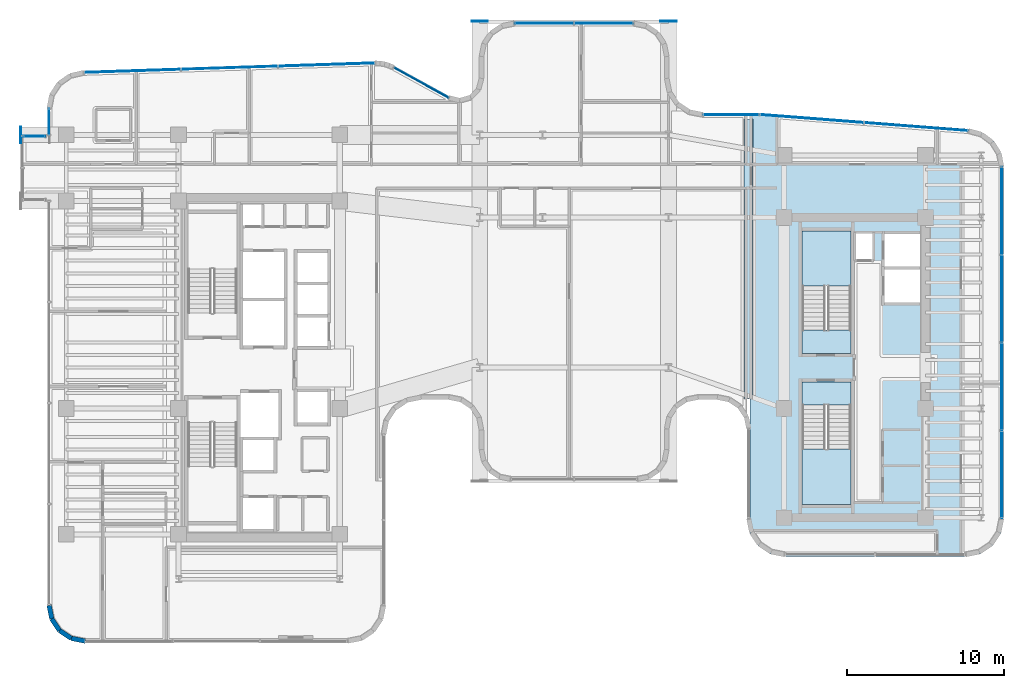
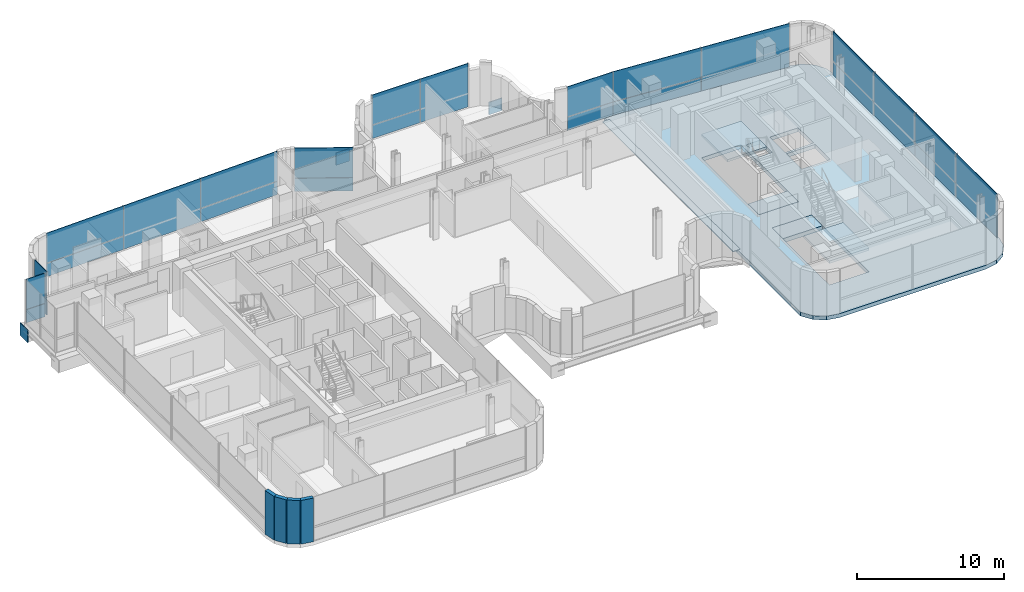
# One storey, part 26 of 39: 29 plates, 5 slabs, 4 walls, 10 elements without a shape of their own.
"""IFC4 building model written with IfcOpenShell, lengths in metres."""

from ifc_helpers import new_model, si_unit, direction, frame, frame_2d, origin, origin_2d, place, context, subcontext, project, spatial, polyline, rectangle, outline, extrude, source, transform, mapped, material, layer, layer_set, type_object, element, aggregate, save


model = new_model("IFC4")

# Units and contexts
model_context = context("Model", 3, precision=1e-05, world=origin(), true_north=direction((0.0, 1.0)))
body_context = subcontext(model_context, "Body", "Model", "MODEL_VIEW")
ifc_project = project(units=[si_unit("LENGTHUNIT", "METRE"), si_unit("AREAUNIT", "SQUARE_METRE"), si_unit("VOLUMEUNIT", "CUBIC_METRE"), si_unit("PLANEANGLEUNIT", "RADIAN"), si_unit("MASSUNIT", "GRAM", prefix="KILO")], contexts=[model_context])

# Site, building, storey
site_placement = place(None, origin())
site = spatial("IfcSite", under=ifc_project, at=site_placement, CompositionType="ELEMENT")
building_placement = place(site_placement, origin())
building = spatial("IfcBuilding", under=site, at=building_placement, Name="Valdorenza Pilgrim Sanctuary Tower", CompositionType="ELEMENT")
storey_placement = place(building_placement, frame((0.0, 0.0, 184.449951171875)))
storey = spatial("IfcBuildingStorey", under=building, at=storey_placement, Name="L47", CompositionType="ELEMENT", Elevation=184.449951171875)

# Slab
ifc_material_1 = material(Name="Concrete C40/50", Category="concrete")
ifc_layer_1 = layer(ifc_material_1, 0.320068359375, Name="Concrete C40/50")
ifc_layer_set_1 = layer_set([ifc_layer_1], Name="Concrete C40/50")
slab_type_1 = type_object("IfcSlabType", Name="SLAB-PRY-320", PredefinedType="FLOOR", material=ifc_layer_set_1)
slab_1_placement = place(storey_placement, frame((0.0, 0.0, -0.320068359375)))
element("IfcSlab", 1, at=slab_1_placement, inside=storey, type_object=slab_type_1, Name="L47 Structural Floor Slab 2", PredefinedType="FLOOR", context=body_context, shape_type="SweptSolid", body=[
    extrude(outline(polyline([(27.585205078125, 15.17138671875), (28.4453125, 14.93896484375), (29.161376953125, 14.408935546875), (29.634521484375, 13.654052734375), (29.800048828125, 12.778564453125), (29.800048828125, -9.60009765625), (29.6171875, -10.518310546875), (29.09716796875, -11.297119140625), (28.318359375, -11.8173828125), (27.39990234375, -12.0), (15.89990234375, -12.0), (14.981689453125, -11.8173828125), (14.202880859375, -11.297119140625), (13.6826171875, -10.518310546875), (13.679931640625, -10.5048828125), (13.679931640625, 16.199951171875), (14.300048828125, 16.199951171875), (27.585205078125, 15.17138671875)]), holes=[polyline([(17.0, -8.699951171875), (20.110107421875, -8.699951171875), (20.110107421875, -2.385009765625), (20.110107421875, -0.89990234375), (17.0, -0.89990234375), (17.0, -2.385009765625), (17.0, -8.699951171875)]), polyline([(17.0, 0.89990234375), (20.110107421875, 0.89990234375), (20.110107421875, 2.385009765625), (20.110107421875, 8.699951171875), (17.0, 8.699951171875), (17.0, 2.385009765625), (17.0, 0.89990234375)]), polyline([(22.25, 4.14990234375), (24.47998046875, 4.14990234375), (24.47998046875, 6.22509765625), (22.25, 6.22509765625), (22.25, 4.14990234375)]), polyline([(22.25, 6.425048828125), (24.47998046875, 6.425048828125), (24.47998046875, 8.5), (22.25, 8.5), (22.25, 6.425048828125)]), polyline([(20.409912109375, 6.860107421875), (21.489990234375, 6.860107421875), (21.489990234375, 8.52001953125), (20.409912109375, 8.52001953125), (20.409912109375, 6.860107421875)])]), origin(), (0.0, 0.0, 1.0), 0.320068359375),
])

# Stair, slab
stair_type = type_object("IfcStairType", Name="STR-DOG-CORE", PredefinedType="HALF_TURN_STAIR", material=ifc_material_1)
stair_1_placement = place(storey_placement, origin())
stair_1 = element("IfcStair", 2, at=stair_1_placement, inside=storey, type_object=stair_type, Name="L47 ST-B1", PredefinedType="HALF_TURN_STAIR")
ifc_layer_2 = layer(ifc_material_1, 0.199951171875, Name="Concrete C40/50")
ifc_layer_set_2 = layer_set([ifc_layer_2], Name="Concrete C40/50")
slab_type_2 = type_object("IfcSlabType", Name="SLAB-STL-200", PredefinedType="LANDING", material=ifc_layer_set_2)
slab_2_placement = place(storey_placement, frame((0.0, 0.0, 1.775146484375)))
slab_2 = element("IfcSlab", 3, at=slab_2_placement, type_object=slab_type_2, Name="ST-B1 landing 1", PredefinedType="LANDING", context=body_context, shape_type="SweptSolid", body=[
    extrude(outline(polyline([(20.110107421875, 5.179931640625), (20.110107421875, 8.699951171875), (17.0, 8.699951171875), (17.0, 5.179931640625), (20.110107421875, 5.179931640625)])), origin(), (0.0, 0.0, 1.0), 0.199951171875),
])
aggregate(stair_1, [slab_2])

stair_2_placement = place(storey_placement, origin())
stair_2 = element("IfcStair", 4, at=stair_2_placement, inside=storey, type_object=stair_type, Name="L47 ST-B2", PredefinedType="HALF_TURN_STAIR")
slab_3_placement = place(storey_placement, frame((0.0, 0.0, 1.775146484375)))
slab_3 = element("IfcSlab", 5, at=slab_3_placement, type_object=slab_type_2, Name="ST-B2 landing 1", PredefinedType="LANDING", context=body_context, shape_type="SweptSolid", body=[
    extrude(outline(polyline([(17.0, -5.179931640625), (17.0, -8.699951171875), (20.110107421875, -8.699951171875), (20.110107421875, -5.179931640625), (17.0, -5.179931640625)])), origin(), (0.0, 0.0, 1.0), 0.199951171875),
])
aggregate(stair_2, [slab_3])

# Slabs
ifc_material_2 = material(Name="Concrete C50/60", Category="concrete")
ifc_layer_3 = layer(ifc_material_2, 0.39990234375, Name="Concrete C50/60")
ifc_layer_set_3 = layer_set([ifc_layer_3], Name="Concrete C50/60")
slab_type_3 = type_object("IfcSlabType", Name="SLAB-TRF-400", PredefinedType="FLOOR", material=ifc_layer_set_3)
slab_4_placement = place(storey_placement, frame((0.0, 0.0, -0.35986328125)))
element("IfcSlab", 6, at=slab_4_placement, inside=storey, type_object=slab_type_3, Name="L47 ST-B1 Structural Stair Landing Bearing Slab", PredefinedType="FLOOR", context=body_context, shape_type="SweptSolid", body=[
    extrude(outline(polyline([(17.0, 0.89990234375), (20.110107421875, 0.89990234375), (20.110107421875, 2.385009765625), (17.0, 2.385009765625), (17.0, 0.89990234375)])), origin(), (0.0, 0.0, 1.0), 0.35986328125),
])
slab_5_placement = place(storey_placement, frame((0.0, 0.0, -0.35986328125)))
element("IfcSlab", 7, at=slab_5_placement, inside=storey, type_object=slab_type_3, Name="L47 ST-B2 Structural Stair Landing Bearing Slab", PredefinedType="FLOOR", context=body_context, shape_type="SweptSolid", body=[
    extrude(outline(polyline([(17.0, -2.385009765625), (20.110107421875, -2.385009765625), (20.110107421875, -0.89990234375), (17.0, -0.89990234375), (17.0, -2.385009765625)])), origin(), (0.0, 0.0, 1.0), 0.35986328125),
])

# Plates
ifc_material_3 = material(Name="Steel ASTM A572 Grade 42", Category="steel")
ifc_layer_4 = layer(ifc_material_3, 0.06005859375, Name="Steel ASTM A572 Grade 42")
ifc_layer_set_4 = layer_set([ifc_layer_4], Name="Steel ASTM A572 Grade 42")
plate_type_1 = type_object("IfcPlateType", Name="PLT-CAP-60", PredefinedType="SHEET", material=ifc_layer_set_4)
shared_shape_1 = source(origin(), body_context, "Body", "SweptSolid", [
    extrude(rectangle(XDim=0.56005859375, YDim=17.800048828125, at=origin_2d()), origin(), (0.0, 0.0, 1.0), 0.06005859375),
])
plate_1_placement = place(storey_placement, frame((13.590087890625, 6.89990234375, -0.06005859375), z_axis=(0.0, 0.0, 1.0), x_axis=(1.0, 0.0, 0.0)))
element("IfcPlate", 8, at=plate_1_placement, inside=storey, type_object=plate_type_1, Name="L47 Portal Bridge Expansion Joint Cover Plate", PredefinedType="SHEET", context=body_context, shape_type="MappedRepresentation", body=[
    mapped(shared_shape_1, transform((0.0, 0.0, 0.0), x_axis=(1.0, 0.0, 0.0), y_axis=(0.0, 1.0, 0.0), z_axis=(0.0, 0.0, 1.0), scale=1.0)),
])
shared_shape_2 = source(origin(), body_context, "Body", "SweptSolid", [
    extrude(rectangle(XDim=0.06005859375, YDim=1.0400390625, at=origin_2d()), origin(), (0.0, 0.0, 1.0), 1.0400390625),
])
plate_2_placement = place(storey_placement, frame((-32.679931640625, 14.800048828125, -1.340087890625), z_axis=(0.0, 0.0, 1.0), x_axis=(1.0, 0.0, 0.0)))
element("IfcPlate", 9, at=plate_2_placement, inside=storey, type_object=plate_type_1, Name="L47 BOX-WA-L47 Cantilever Tip End Cap N", PredefinedType="SHEET", context=body_context, shape_type="MappedRepresentation", body=[
    mapped(shared_shape_2, transform((0.0, 0.0, 0.0), x_axis=(1.0, 0.0, 0.0), y_axis=(0.0, 1.0, 0.0), z_axis=(0.0, 0.0, 1.0), scale=1.0)),
])
shared_shape_3 = source(origin(), body_context, "Body", "SweptSolid", [
    extrude(rectangle(XDim=1.0400390625, YDim=0.06005859375, at=origin_2d()), origin(), (0.0, 0.0, 1.0), 1.0400390625),
])
for number, where, z_axis, x_axis, name in (
    (10, (-3.5, 22.030029296875, -1.340087890625), (0.0, 0.0, 1.0), (1.0, 0.0, 0.0), "L47 North Prow Cantilever End Cap W"),
    (11, (8.5, 22.030029296875, -1.340087890625), (0.0, 0.0, 1.0), (1.0, 0.0, 0.0), "L47 North Prow Cantilever End Cap E"),
):
    element("IfcPlate", number, at=place(storey_placement, frame(where, z_axis=z_axis, x_axis=x_axis)), inside=storey, type_object=plate_type_1, Name=name, PredefinedType="SHEET", context=body_context, shape_type="MappedRepresentation", body=[
        mapped(shared_shape_3, transform((0.0, 0.0, 0.0), x_axis=(1.0, 0.0, 0.0), y_axis=(0.0, 1.0, 0.0), z_axis=(0.0, 0.0, 1.0), scale=1.0)),
    ])

# Curtain wall, plate
ifc_material_4 = material(Name="Curtain-wall IGU glazing", Category="glass")
curtain_wall_type_1 = type_object("IfcCurtainWallType", Name="CW-SYS-02", PredefinedType="NOTDEFINED", material=ifc_material_4)
curtain_wall_1_placement = place(storey_placement, origin())
curtain_wall_1 = element("IfcCurtainWall", 12, at=curtain_wall_1_placement, inside=storey, type_object=curtain_wall_type_1, Name="L47 Curtain Wall CW-L47-BOX-WA-L47-N", PredefinedType="NOTDEFINED")
ifc_material_5 = material(Name="Honed travertine limestone", Category="masonry")
ifc_layer_5 = layer(ifc_material_5, 0.050048828125, Name="Honed travertine limestone")
ifc_layer_set_5 = layer_set([ifc_layer_5], Name="Honed travertine limestone")
plate_type_2 = type_object("IfcPlateType", Name="CW-SPN-TRV", PredefinedType="USERDEFINED", material=ifc_layer_set_5)
shared_shape_4 = source(origin(), body_context, "Body", "SweptSolid", [
    extrude(rectangle(XDim=1.43994140625, YDim=0.06005859375, at=origin_2d()), origin(), (0.0, 0.0, 1.0), 1.10009765625),
])
plate_3_placement = place(storey_placement, frame((-31.840087890625, 14.719970703125, 0.010009765625), z_axis=(0.0, 0.0, 1.0), x_axis=(1.0, 0.0, 0.0)))
plate_3 = element("IfcPlate", 13, at=plate_3_placement, type_object=plate_type_2, Name="CW-L47-BOX-WA-L47-N Travertine Spandrel 1", ObjectType="SPANDREL", PredefinedType="USERDEFINED", context=body_context, shape_type="MappedRepresentation", body=[
    mapped(shared_shape_4, transform((0.0, 0.0, 0.0), x_axis=(1.0, 0.0, 0.0), y_axis=(0.0, 1.0, 0.0), z_axis=(0.0, 0.0, 1.0), scale=1.0)),
])

# Curtain wall, plates
curtain_wall_2_placement = place(storey_placement, origin())
curtain_wall_2 = element("IfcCurtainWall", 14, at=curtain_wall_2_placement, inside=storey, type_object=curtain_wall_type_1, Name="L47 Curtain Wall CW-L47-1-6", PredefinedType="NOTDEFINED")
shared_shape_5 = source(origin(), body_context, "Body", "SweptSolid", [
    extrude(rectangle(XDim=6.15185546875, YDim=0.06005859375, at=origin_2d()), origin(), (0.0, 0.0, 1.0), 1.10009765625),
])
plate_4_placement = place(storey_placement, frame((-25.57958984375, 18.866455078125, 0.010009765625), z_axis=(0.0, 0.0, 1.0), x_axis=(0.999470282811, 0.032544642846, 0.0)))
plate_4 = element("IfcPlate", 15, at=plate_4_placement, type_object=plate_type_2, Name="CW-L47-1-6 Travertine Spandrel 1", ObjectType="SPANDREL", PredefinedType="USERDEFINED", context=body_context, shape_type="MappedRepresentation", body=[
    mapped(shared_shape_5, transform((0.0, 0.0, 0.0), x_axis=(1.0, 0.0, 0.0), y_axis=(0.0, 1.0, 0.0), z_axis=(0.0, 0.0, 1.0), scale=1.0)),
])
plate_5_placement = place(storey_placement, frame((-13.2421875, 19.26806640625, 0.010009765625), z_axis=(0.0, 0.0, 1.0), x_axis=(0.999470282811, 0.032544642846, 0.0)))
plate_5 = element("IfcPlate", 16, at=plate_5_placement, type_object=plate_type_2, Name="CW-L47-1-6 Travertine Spandrel 3", ObjectType="SPANDREL", PredefinedType="USERDEFINED", context=body_context, shape_type="MappedRepresentation", body=[
    mapped(shared_shape_5, transform((0.0, 0.0, 0.0), x_axis=(1.0, 0.0, 0.0), y_axis=(0.0, 1.0, 0.0), z_axis=(0.0, 0.0, 1.0), scale=1.0)),
])

# Curtain wall, plate
curtain_wall_type_2 = type_object("IfcCurtainWallType", Name="CW-SYS-05", PredefinedType="NOTDEFINED", material=ifc_material_4)
curtain_wall_3_placement = place(storey_placement, origin())
curtain_wall_3 = element("IfcCurtainWall", 17, at=curtain_wall_3_placement, inside=storey, type_object=curtain_wall_type_2, Name="L47 Curtain Wall CW-L47-1-11", PredefinedType="NOTDEFINED")
shared_shape_6 = source(origin(), body_context, "Body", "SweptSolid", [
    extrude(rectangle(XDim=3.97607421875, YDim=0.06005859375, at=origin_2d()), origin(), (0.0, 0.0, 1.0), 1.10009765625),
])
plate_6_placement = place(storey_placement, frame((-7.222412109375, 18.12158203125, 0.010009765625), z_axis=(0.0, 0.0, 1.0), x_axis=(0.876214173829, -0.481921904027, 0.0)))
plate_6 = element("IfcPlate", 18, at=plate_6_placement, type_object=plate_type_2, Name="CW-L47-1-11 Travertine Spandrel 1", ObjectType="SPANDREL", PredefinedType="USERDEFINED", context=body_context, shape_type="MappedRepresentation", body=[
    mapped(shared_shape_6, transform((0.0, 0.0, 0.0), x_axis=(1.0, 0.0, 0.0), y_axis=(0.0, 1.0, 0.0), z_axis=(0.0, 0.0, 1.0), scale=1.0)),
])

curtain_wall_4_placement = place(storey_placement, origin())
curtain_wall_4 = element("IfcCurtainWall", 19, at=curtain_wall_4_placement, inside=storey, type_object=curtain_wall_type_2, Name="L47 Curtain Wall CW-L47-1-21", PredefinedType="NOTDEFINED")
shared_shape_7 = source(origin(), body_context, "Body", "SweptSolid", [
    extrude(rectangle(XDim=3.76513671875, YDim=0.06005859375, at=origin_2d()), origin(), (0.0, 0.0, 1.0), 1.10009765625),
])
plate_7_placement = place(storey_placement, frame((0.607421875, 21.889892578125, 0.010009765625), z_axis=(0.0, 0.0, 1.0), x_axis=(1.0, 0.0, 0.0)))
plate_7 = element("IfcPlate", 20, at=plate_7_placement, type_object=plate_type_2, Name="CW-L47-1-21 Travertine Spandrel 1", ObjectType="SPANDREL", PredefinedType="USERDEFINED", context=body_context, shape_type="MappedRepresentation", body=[
    mapped(shared_shape_7, transform((0.0, 0.0, 0.0), x_axis=(1.0, 0.0, 0.0), y_axis=(0.0, 1.0, 0.0), z_axis=(0.0, 0.0, 1.0), scale=1.0)),
])

curtain_wall_5_placement = place(storey_placement, origin())
curtain_wall_5 = element("IfcCurtainWall", 21, at=curtain_wall_5_placement, inside=storey, type_object=curtain_wall_type_2, Name="L47 Curtain Wall CW-L47-1-31", PredefinedType="NOTDEFINED")
shared_shape_8 = source(origin(), body_context, "Body", "SweptSolid", [
    extrude(rectangle(XDim=3.58251953125, YDim=0.06005859375, at=origin_2d()), origin(), (0.0, 0.0, 1.0), 1.10009765625),
])
plate_8_placement = place(storey_placement, frame((12.494384765625, 16.090087890625, 0.010009765625), z_axis=(0.0, 0.0, 1.0), x_axis=(1.0, 0.0, 0.0)))
plate_8 = element("IfcPlate", 22, at=plate_8_placement, type_object=plate_type_2, Name="CW-L47-1-31 Travertine Spandrel 1", ObjectType="SPANDREL", PredefinedType="USERDEFINED", context=body_context, shape_type="MappedRepresentation", body=[
    mapped(shared_shape_8, transform((0.0, 0.0, 0.0), x_axis=(1.0, 0.0, 0.0), y_axis=(0.0, 1.0, 0.0), z_axis=(0.0, 0.0, 1.0), scale=1.0)),
])

curtain_wall_type_3 = type_object("IfcCurtainWallType", Name="CW-SYS-03", PredefinedType="NOTDEFINED", material=ifc_material_4)
curtain_wall_6_placement = place(storey_placement, origin())
curtain_wall_6 = element("IfcCurtainWall", 23, at=curtain_wall_6_placement, inside=storey, type_object=curtain_wall_type_3, Name="L47 Curtain Wall CW-L47-1-32", PredefinedType="NOTDEFINED")
shared_shape_9 = source(origin(), body_context, "Body", "SweptSolid", [
    extrude(rectangle(XDim=6.63525390625, YDim=0.06005859375, at=origin_2d()), origin(), (0.0, 0.0, 1.0), 1.10009765625),
])
plate_9_placement = place(storey_placement, frame((17.61328125, 15.8330078125, 0.010009765625), z_axis=(0.0, 0.0, 1.0), x_axis=(0.997016488532, -0.077188869631, 0.0)))
plate_9 = element("IfcPlate", 24, at=plate_9_placement, type_object=plate_type_2, Name="CW-L47-1-32 Travertine Spandrel 1", ObjectType="SPANDREL", PredefinedType="USERDEFINED", context=body_context, shape_type="MappedRepresentation", body=[
    mapped(shared_shape_9, transform((0.0, 0.0, 0.0), x_axis=(1.0, 0.0, 0.0), y_axis=(0.0, 1.0, 0.0), z_axis=(0.0, 0.0, 1.0), scale=1.0)),
])

# Curtain wall, plates
curtain_wall_7_placement = place(storey_placement, origin())
curtain_wall_7 = element("IfcCurtainWall", 25, at=curtain_wall_7_placement, inside=storey, type_object=curtain_wall_type_3, Name="L47 Curtain Wall CW-L47-1-37", PredefinedType="NOTDEFINED")
shared_shape_10 = source(origin(), body_context, "Body", "SweptSolid", [
    extrude(rectangle(XDim=5.5693359375, YDim=0.06005859375, at=origin_2d()), origin(), (0.0, 0.0, 1.0), 1.10009765625),
])
plate_10_placement = place(storey_placement, frame((29.68994140625, 9.9736328125, 0.010009765625), z_axis=(0.0, 0.0, 1.0), x_axis=(0.0, -1.0, 0.0)))
plate_10 = element("IfcPlate", 26, at=plate_10_placement, type_object=plate_type_2, Name="CW-L47-1-37 Travertine Spandrel 1", ObjectType="SPANDREL", PredefinedType="USERDEFINED", context=body_context, shape_type="MappedRepresentation", body=[
    mapped(shared_shape_10, transform((0.0, 0.0, 0.0), x_axis=(1.0, 0.0, 0.0), y_axis=(0.0, 1.0, 0.0), z_axis=(0.0, 0.0, 1.0), scale=1.0)),
])
plate_11_placement = place(storey_placement, frame((29.68994140625, -1.205078125, 0.010009765625), z_axis=(0.0, 0.0, 1.0), x_axis=(0.0, -1.0, 0.0)))
plate_11 = element("IfcPlate", 27, at=plate_11_placement, type_object=plate_type_2, Name="CW-L47-1-37 Travertine Spandrel 3", ObjectType="SPANDREL", PredefinedType="USERDEFINED", context=body_context, shape_type="MappedRepresentation", body=[
    mapped(shared_shape_10, transform((0.0, 0.0, 0.0), x_axis=(1.0, 0.0, 0.0), y_axis=(0.0, 1.0, 0.0), z_axis=(0.0, 0.0, 1.0), scale=1.0)),
])

# Plate
ifc_material_6 = material(Name="Ceramic-fritted low-E IGU glazing", Category="glass")
ifc_layer_6 = layer(ifc_material_6, 0.035888671875, Name="Ceramic-fritted low-E IGU glazing")
ifc_layer_set_6 = layer_set([ifc_layer_6], Name="Ceramic-fritted low-E IGU glazing")
plate_type_3 = type_object("IfcPlateType", Name="CW-GLZ-IGU", PredefinedType="USERDEFINED", material=ifc_layer_set_6)
shared_shape_11 = source(origin(), body_context, "Body", "SweptSolid", [
    extrude(rectangle(XDim=6.15185546875, YDim=0.050048828125, at=origin_2d()), origin(), (0.0, 0.0, 1.0), 2.489990234375),
])
plate_12_placement = place(storey_placement, frame((-25.57958984375, 18.866455078125, 1.1298828125), z_axis=(0.0, 0.0, 1.0), x_axis=(0.999470282811, 0.032544642846, 0.0)))
plate_12 = element("IfcPlate", 28, at=plate_12_placement, type_object=plate_type_3, Name="CW-L47-1-6 Facade Panel 1", ObjectType="GLAZING", PredefinedType="USERDEFINED", context=body_context, shape_type="MappedRepresentation", body=[
    mapped(shared_shape_11, transform((0.0, 0.0, 0.0), x_axis=(1.0, 0.0, 0.0), y_axis=(0.0, 1.0, 0.0), z_axis=(0.0, 0.0, 1.0), scale=1.0)),
])

plate_13_placement = place(storey_placement, frame((-13.2421875, 19.26806640625, 1.1298828125), z_axis=(0.0, 0.0, 1.0), x_axis=(0.999470282811, 0.032544642846, 0.0)))
plate_13 = element("IfcPlate", 29, at=plate_13_placement, type_object=plate_type_3, Name="CW-L47-1-6 Facade Panel 3", ObjectType="GLAZING", PredefinedType="USERDEFINED", context=body_context, shape_type="MappedRepresentation", body=[
    mapped(shared_shape_11, transform((0.0, 0.0, 0.0), x_axis=(1.0, 0.0, 0.0), y_axis=(0.0, 1.0, 0.0), z_axis=(0.0, 0.0, 1.0), scale=1.0)),
])

shared_shape_12 = source(origin(), body_context, "Body", "SweptSolid", [
    extrude(rectangle(XDim=6.15185546875, YDim=0.050048828125, at=origin_2d()), origin(), (0.0, 0.0, 1.0), 3.610107421875),
])
plate_14_placement = place(storey_placement, frame((-19.410888671875, 19.0673828125, 0.009765625), z_axis=(0.0, 0.0, 1.0), x_axis=(0.999470282811, 0.032544642846, 0.0)))
plate_14 = element("IfcPlate", 30, at=plate_14_placement, type_object=plate_type_3, Name="CW-L47-1-6 Full-Height Facade Panel 2", ObjectType="GLAZING", PredefinedType="USERDEFINED", context=body_context, shape_type="MappedRepresentation", body=[
    mapped(shared_shape_12, transform((0.0, 0.0, 0.0), x_axis=(1.0, 0.0, 0.0), y_axis=(0.0, 1.0, 0.0), z_axis=(0.0, 0.0, 1.0), scale=1.0)),
])

aggregate(curtain_wall_2, [plate_4, plate_12, plate_14, plate_5, plate_13])

shared_shape_13 = source(origin(), body_context, "Body", "SweptSolid", [
    extrude(rectangle(XDim=3.97607421875, YDim=0.050048828125, at=origin_2d()), origin(), (0.0, 0.0, 1.0), 2.489990234375),
])
plate_15_placement = place(storey_placement, frame((-7.222412109375, 18.12158203125, 1.1298828125), z_axis=(0.0, 0.0, 1.0), x_axis=(0.876214173829, -0.481921904027, 0.0)))
plate_15 = element("IfcPlate", 31, at=plate_15_placement, type_object=plate_type_3, Name="CW-L47-1-11 Facade Panel 1", ObjectType="GLAZING", PredefinedType="USERDEFINED", context=body_context, shape_type="MappedRepresentation", body=[
    mapped(shared_shape_13, transform((0.0, 0.0, 0.0), x_axis=(1.0, 0.0, 0.0), y_axis=(0.0, 1.0, 0.0), z_axis=(0.0, 0.0, 1.0), scale=1.0)),
])

aggregate(curtain_wall_3, [plate_6, plate_15])

shared_shape_14 = source(origin(), body_context, "Body", "SweptSolid", [
    extrude(rectangle(XDim=3.76513671875, YDim=0.050048828125, at=origin_2d()), origin(), (0.0, 0.0, 1.0), 2.489990234375),
])
plate_16_placement = place(storey_placement, frame((0.607421875, 21.889892578125, 1.1298828125), z_axis=(0.0, 0.0, 1.0), x_axis=(1.0, 0.0, 0.0)))
plate_16 = element("IfcPlate", 32, at=plate_16_placement, type_object=plate_type_3, Name="CW-L47-1-21 Facade Panel 1", ObjectType="GLAZING", PredefinedType="USERDEFINED", context=body_context, shape_type="MappedRepresentation", body=[
    mapped(shared_shape_14, transform((0.0, 0.0, 0.0), x_axis=(1.0, 0.0, 0.0), y_axis=(0.0, 1.0, 0.0), z_axis=(0.0, 0.0, 1.0), scale=1.0)),
])

shared_shape_15 = source(origin(), body_context, "Body", "SweptSolid", [
    extrude(rectangle(XDim=3.76513671875, YDim=0.050048828125, at=origin_2d()), origin(), (0.0, 0.0, 1.0), 3.610107421875),
])
plate_17_placement = place(storey_placement, frame((4.392578125, 21.889892578125, 0.009765625), z_axis=(0.0, 0.0, 1.0), x_axis=(1.0, 0.0, 0.0)))
plate_17 = element("IfcPlate", 33, at=plate_17_placement, type_object=plate_type_3, Name="CW-L47-1-21 Full-Height Facade Panel 2", ObjectType="GLAZING", PredefinedType="USERDEFINED", context=body_context, shape_type="MappedRepresentation", body=[
    mapped(shared_shape_15, transform((0.0, 0.0, 0.0), x_axis=(1.0, 0.0, 0.0), y_axis=(0.0, 1.0, 0.0), z_axis=(0.0, 0.0, 1.0), scale=1.0)),
])

aggregate(curtain_wall_4, [plate_7, plate_16, plate_17])

shared_shape_16 = source(origin(), body_context, "Body", "SweptSolid", [
    extrude(rectangle(XDim=3.58251953125, YDim=0.050048828125, at=origin_2d()), origin(), (0.0, 0.0, 1.0), 2.489990234375),
])
plate_18_placement = place(storey_placement, frame((12.494384765625, 16.090087890625, 1.1298828125), z_axis=(0.0, 0.0, 1.0), x_axis=(1.0, 0.0, 0.0)))
plate_18 = element("IfcPlate", 34, at=plate_18_placement, type_object=plate_type_3, Name="CW-L47-1-31 Facade Panel 1", ObjectType="GLAZING", PredefinedType="USERDEFINED", context=body_context, shape_type="MappedRepresentation", body=[
    mapped(shared_shape_16, transform((0.0, 0.0, 0.0), x_axis=(1.0, 0.0, 0.0), y_axis=(0.0, 1.0, 0.0), z_axis=(0.0, 0.0, 1.0), scale=1.0)),
])

aggregate(curtain_wall_5, [plate_8, plate_18])

shared_shape_17 = source(origin(), body_context, "Body", "SweptSolid", [
    extrude(rectangle(XDim=6.63525390625, YDim=0.050048828125, at=origin_2d()), origin(), (0.0, 0.0, 1.0), 2.489990234375),
])
plate_19_placement = place(storey_placement, frame((17.61328125, 15.8330078125, 1.1298828125), z_axis=(0.0, 0.0, 1.0), x_axis=(0.997016488532, -0.077188869631, 0.0)))
plate_19 = element("IfcPlate", 35, at=plate_19_placement, type_object=plate_type_3, Name="CW-L47-1-32 Facade Panel 1", ObjectType="GLAZING", PredefinedType="USERDEFINED", context=body_context, shape_type="MappedRepresentation", body=[
    mapped(shared_shape_17, transform((0.0, 0.0, 0.0), x_axis=(1.0, 0.0, 0.0), y_axis=(0.0, 1.0, 0.0), z_axis=(0.0, 0.0, 1.0), scale=1.0)),
])

shared_shape_18 = source(origin(), body_context, "Body", "SweptSolid", [
    extrude(rectangle(XDim=6.63525390625, YDim=0.050048828125, at=origin_2d()), origin(), (0.0, 0.0, 1.0), 3.610107421875),
])
plate_20_placement = place(storey_placement, frame((24.248779296875, 15.3193359375, 0.009765625), z_axis=(0.0, 0.0, 1.0), x_axis=(0.997016488532, -0.077188869631, 0.0)))
plate_20 = element("IfcPlate", 36, at=plate_20_placement, type_object=plate_type_3, Name="CW-L47-1-32 Full-Height Facade Panel 2", ObjectType="GLAZING", PredefinedType="USERDEFINED", context=body_context, shape_type="MappedRepresentation", body=[
    mapped(shared_shape_18, transform((0.0, 0.0, 0.0), x_axis=(1.0, 0.0, 0.0), y_axis=(0.0, 1.0, 0.0), z_axis=(0.0, 0.0, 1.0), scale=1.0)),
])

aggregate(curtain_wall_6, [plate_9, plate_19, plate_20])

shared_shape_19 = source(origin(), body_context, "Body", "SweptSolid", [
    extrude(rectangle(XDim=5.5693359375, YDim=0.050048828125, at=origin_2d()), origin(), (0.0, 0.0, 1.0), 2.489990234375),
])
plate_21_placement = place(storey_placement, frame((29.68994140625, 9.9736328125, 1.1298828125), z_axis=(0.0, 0.0, 1.0), x_axis=(0.0, -1.0, 0.0)))
plate_21 = element("IfcPlate", 37, at=plate_21_placement, type_object=plate_type_3, Name="CW-L47-1-37 Facade Panel 1", ObjectType="GLAZING", PredefinedType="USERDEFINED", context=body_context, shape_type="MappedRepresentation", body=[
    mapped(shared_shape_19, transform((0.0, 0.0, 0.0), x_axis=(1.0, 0.0, 0.0), y_axis=(0.0, 1.0, 0.0), z_axis=(0.0, 0.0, 1.0), scale=1.0)),
])

plate_22_placement = place(storey_placement, frame((29.68994140625, -1.205078125, 1.1298828125), z_axis=(0.0, 0.0, 1.0), x_axis=(0.0, -1.0, 0.0)))
plate_22 = element("IfcPlate", 38, at=plate_22_placement, type_object=plate_type_3, Name="CW-L47-1-37 Facade Panel 3", ObjectType="GLAZING", PredefinedType="USERDEFINED", context=body_context, shape_type="MappedRepresentation", body=[
    mapped(shared_shape_19, transform((0.0, 0.0, 0.0), x_axis=(1.0, 0.0, 0.0), y_axis=(0.0, 1.0, 0.0), z_axis=(0.0, 0.0, 1.0), scale=1.0)),
])

shared_shape_20 = source(origin(), body_context, "Body", "SweptSolid", [
    extrude(rectangle(XDim=5.5693359375, YDim=0.050048828125, at=origin_2d()), origin(), (0.0, 0.0, 1.0), 3.610107421875),
])
plate_23_placement = place(storey_placement, frame((29.68994140625, 4.38427734375, 0.009765625), z_axis=(0.0, 0.0, 1.0), x_axis=(0.0, -1.0, 0.0)))
plate_23 = element("IfcPlate", 39, at=plate_23_placement, type_object=plate_type_3, Name="CW-L47-1-37 Full-Height Facade Panel 2", ObjectType="GLAZING", PredefinedType="USERDEFINED", context=body_context, shape_type="MappedRepresentation", body=[
    mapped(shared_shape_20, transform((0.0, 0.0, 0.0), x_axis=(1.0, 0.0, 0.0), y_axis=(0.0, 1.0, 0.0), z_axis=(0.0, 0.0, 1.0), scale=1.0)),
])

plate_24_placement = place(storey_placement, frame((29.68994140625, -6.79443359375, 0.009765625), z_axis=(0.0, 0.0, 1.0), x_axis=(0.0, -1.0, 0.0)))
plate_24 = element("IfcPlate", 40, at=plate_24_placement, type_object=plate_type_3, Name="CW-L47-1-37 Full-Height Facade Panel 4", ObjectType="GLAZING", PredefinedType="USERDEFINED", context=body_context, shape_type="MappedRepresentation", body=[
    mapped(shared_shape_20, transform((0.0, 0.0, 0.0), x_axis=(1.0, 0.0, 0.0), y_axis=(0.0, 1.0, 0.0), z_axis=(0.0, 0.0, 1.0), scale=1.0)),
])

aggregate(curtain_wall_7, [plate_10, plate_21, plate_23, plate_11, plate_22, plate_24])

shared_shape_21 = source(origin(), body_context, "Body", "SweptSolid", [
    extrude(rectangle(XDim=1.43994140625, YDim=0.050048828125, at=origin_2d()), origin(), (0.0, 0.0, 1.0), 2.489990234375),
])
plate_25_placement = place(storey_placement, frame((-31.840087890625, 14.719970703125, 1.1298828125), z_axis=(0.0, 0.0, 1.0), x_axis=(1.0, 0.0, 0.0)))
plate_25 = element("IfcPlate", 41, at=plate_25_placement, type_object=plate_type_3, Name="CW-L47-BOX-WA-L47-N Facade Panel 1", ObjectType="GLAZING", PredefinedType="USERDEFINED", context=body_context, shape_type="MappedRepresentation", body=[
    mapped(shared_shape_21, transform((0.0, 0.0, 0.0), x_axis=(1.0, 0.0, 0.0), y_axis=(0.0, 1.0, 0.0), z_axis=(0.0, 0.0, 1.0), scale=1.0)),
])

aggregate(curtain_wall_1, [plate_3, plate_25])

# Curtain wall, plates
curtain_wall_8_placement = place(storey_placement, origin())
curtain_wall_8 = element("IfcCurtainWall", 42, at=curtain_wall_8_placement, inside=storey, type_object=curtain_wall_type_1, Name="L47 Curtain Wall CW-L47-1-1S2", PredefinedType="NOTDEFINED")
shared_shape_22 = source(origin(), body_context, "Body", "SweptSolid", [
    extrude(rectangle(XDim=1.646240234375, YDim=0.06005859375, at=origin_2d()), origin(), (0.0, 0.0, 1.0), 1.10009765625),
])
plate_26_placement = place(storey_placement, frame((-30.889892578125, 15.63330078125, 0.010009765625), z_axis=(0.0, 0.0, 1.0), x_axis=(0.0, 1.0, 0.0)))
plate_26 = element("IfcPlate", 43, at=plate_26_placement, type_object=plate_type_2, Name="CW-L47-1-1S2 Travertine Spandrel 1", ObjectType="SPANDREL", PredefinedType="USERDEFINED", context=body_context, shape_type="MappedRepresentation", body=[
    mapped(shared_shape_22, transform((0.0, 0.0, 0.0), x_axis=(1.0, 0.0, 0.0), y_axis=(0.0, 1.0, 0.0), z_axis=(0.0, 0.0, 1.0), scale=1.0)),
])
shared_shape_23 = source(origin(), body_context, "Body", "SweptSolid", [
    extrude(rectangle(XDim=1.646240234375, YDim=0.050048828125, at=origin_2d()), origin(), (0.0, 0.0, 1.0), 2.489990234375),
])
plate_27_placement = place(storey_placement, frame((-30.889892578125, 15.63330078125, 1.1298828125), z_axis=(0.0, 0.0, 1.0), x_axis=(0.0, 1.0, 0.0)))
plate_27 = element("IfcPlate", 44, at=plate_27_placement, type_object=plate_type_3, Name="CW-L47-1-1S2 Facade Panel 1", ObjectType="GLAZING", PredefinedType="USERDEFINED", context=body_context, shape_type="MappedRepresentation", body=[
    mapped(shared_shape_23, transform((0.0, 0.0, 0.0), x_axis=(1.0, 0.0, 0.0), y_axis=(0.0, 1.0, 0.0), z_axis=(0.0, 0.0, 1.0), scale=1.0)),
])
aggregate(curtain_wall_8, [plate_26, plate_27])

# Walls
ifc_layer_7 = layer(ifc_material_5, 0.300048828125, Name="Honed travertine limestone")
ifc_layer_set_7 = layer_set([ifc_layer_7], Name="Honed travertine limestone")
wall_type = type_object("IfcWallType", Name="WAL-EXT-300", PredefinedType="SOLIDWALL", material=ifc_layer_set_7)
wall_1_placement = place(storey_placement, frame((-28.589111328125, -17.389892578125, 0.0), z_axis=(0.0, 0.0, 1.0), x_axis=(-0.980798241101, 0.195025152871, 0.0)))
element("IfcWall", 45, at=wall_1_placement, inside=storey, type_object=wall_type, Name="L47 Rounded Wind-Corner Stone Pier 83", PredefinedType="SOLIDWALL", context=body_context, shape_type="SweptSolid", body=[
    extrude(rectangle(XDim=0.90380859375, YDim=0.300048828125, at=frame_2d((0.451904296875, 0.0))), origin(), (0.0, 0.0, 1.0), 3.630126953125),
])
for number, where, z_axis, x_axis, name in (
    (46, (-29.4755859375, -17.213623046875, 0.0), (0.0, 0.0, 1.0), (-0.831502848374, 0.555520488502, 0.0), "L47 Rounded Wind-Corner Stone Pier 84"),
    (47, (-30.2177734375, -16.7177734375, 0.0), (0.0, 0.0, 1.0), (-0.555520488502, 0.831502848374, 0.0), "L47 Rounded Wind-Corner Stone Pier 85"),
):
    element("IfcWall", number, at=place(storey_placement, frame(where, z_axis=z_axis, x_axis=x_axis)), inside=storey, type_object=wall_type, Name=name, PredefinedType="SOLIDWALL", context=body_context, shape_type="SweptSolid", body=[
        extrude(rectangle(XDim=0.892578125, YDim=0.300048828125, at=frame_2d((0.4462890625, 0.0))), origin(), (0.0, 0.0, 1.0), 3.630126953125),
    ])
wall_2_placement = place(storey_placement, frame((-30.713623046875, -15.9755859375, 0.0), z_axis=(0.0, 0.0, 1.0), x_axis=(-0.195025152871, 0.980798241101, 0.0)))
element("IfcWall", 48, at=wall_2_placement, inside=storey, type_object=wall_type, Name="L47 Rounded Wind-Corner Stone Pier 86", PredefinedType="SOLIDWALL", context=body_context, shape_type="SweptSolid", body=[
    extrude(rectangle(XDim=0.90380859375, YDim=0.300048828125, at=frame_2d((0.451904296875, 0.0))), origin(), (0.0, 0.0, 1.0), 3.630126953125),
])

save(model, "model.ifc")
